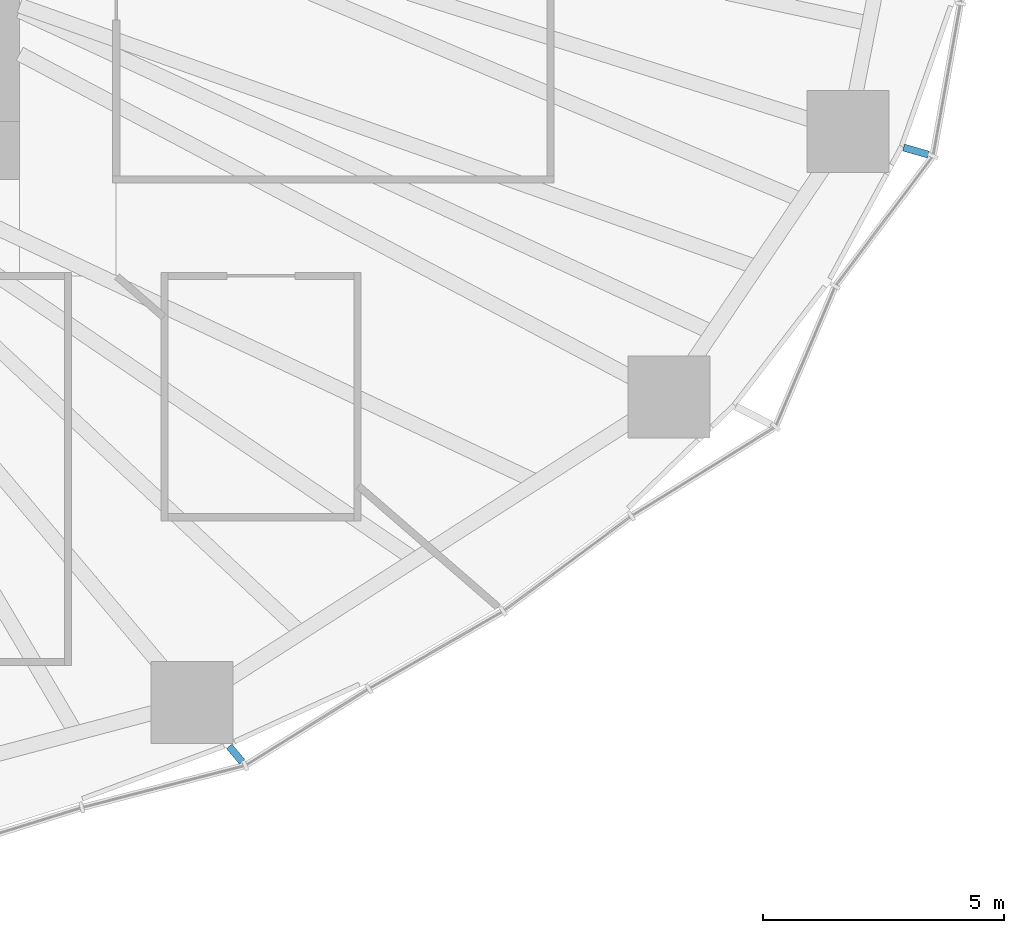
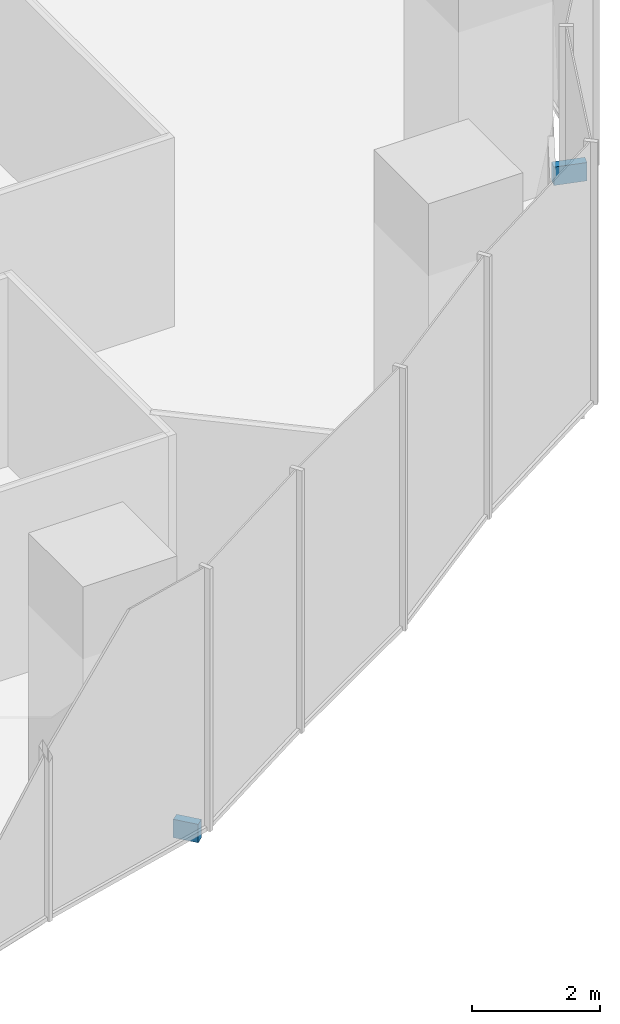
# One storey, part 14 of 20: 2 discrete accessories.
"""IFC4 building model written with IfcOpenShell, lengths in metres."""

from ifc_helpers import new_model, si_unit, direction, frame, origin, origin_2d, place, context, subcontext, project, spatial, rectangle, extrude, material, type_object, element, save


model = new_model("IFC4")

# Units and contexts
model_context = context("Model", 3, precision=1e-05, world=origin(), true_north=direction((0.0, 1.0)))
body_context = subcontext(model_context, "Body", "Model", "MODEL_VIEW")
ifc_project = project(units=[si_unit("LENGTHUNIT", "METRE"), si_unit("AREAUNIT", "SQUARE_METRE"), si_unit("VOLUMEUNIT", "CUBIC_METRE"), si_unit("PLANEANGLEUNIT", "RADIAN"), si_unit("MASSUNIT", "GRAM", prefix="KILO")], contexts=[model_context])

# Site, building, storey
site_placement = place(None, origin())
site = spatial("IfcSite", under=ifc_project, at=site_placement, CompositionType="ELEMENT")
building_placement = place(site_placement, origin())
building = spatial("IfcBuilding", under=site, at=building_placement, Name="Ghaith Harvest Tower", CompositionType="ELEMENT")
storey_placement = place(building_placement, frame((0.0, 0.0, 90.0)))
storey = spatial("IfcBuildingStorey", under=building, at=storey_placement, Name="L18", CompositionType="ELEMENT", Elevation=90.0)

# Discrete accessories
ifc_material_1 = material(Name="Stainless steel grade 1.4401", Category="steel")
discrete_accessory_type_1 = type_object("IfcDiscreteAccessoryType", Name="CURTAIN WALL BRACKET 415", PredefinedType="BRACKET", material=ifc_material_1)
discrete_accessory_1_placement = place(storey_placement, frame((18.475830078125, -21.90966796875, -0.25), z_axis=(0.0, 0.0, 1.0), x_axis=(0.644657240069, -0.764471741025, 0.0)))
element("IfcDiscreteAccessory", 1, at=discrete_accessory_1_placement, inside=storey, type_object=discrete_accessory_type_1, Name="CW-F bracket 1 bay 18 L18", PredefinedType="BRACKET", context=body_context, shape_type="SweptSolid", body=[
    extrude(rectangle(XDim=0.4150390625, YDim=0.14990234375, at=origin_2d()), origin(), (0.0, 0.0, 1.0), 0.35009765625),
])
ifc_material_2 = material(Name="Stainless steel grade 1.4401", Category="steel")
discrete_accessory_type_2 = type_object("IfcDiscreteAccessoryType", Name="CURTAIN WALL BRACKET 535", PredefinedType="BRACKET", material=ifc_material_2)
discrete_accessory_2_placement = place(storey_placement, frame((32.570556640625, -9.41357421875, -0.25), z_axis=(0.0, 0.0, 1.0), x_axis=(0.960680349932, -0.277656739976, 0.0)))
element("IfcDiscreteAccessory", 2, at=discrete_accessory_2_placement, inside=storey, type_object=discrete_accessory_type_2, Name="CW-F bracket 1 bay 20 L18", PredefinedType="BRACKET", context=body_context, shape_type="SweptSolid", body=[
    extrude(rectangle(XDim=0.534912109375, YDim=0.14990234375, at=origin_2d()), origin(), (0.0, 0.0, 1.0), 0.35009765625),
])

save(model, "model.ifc")
